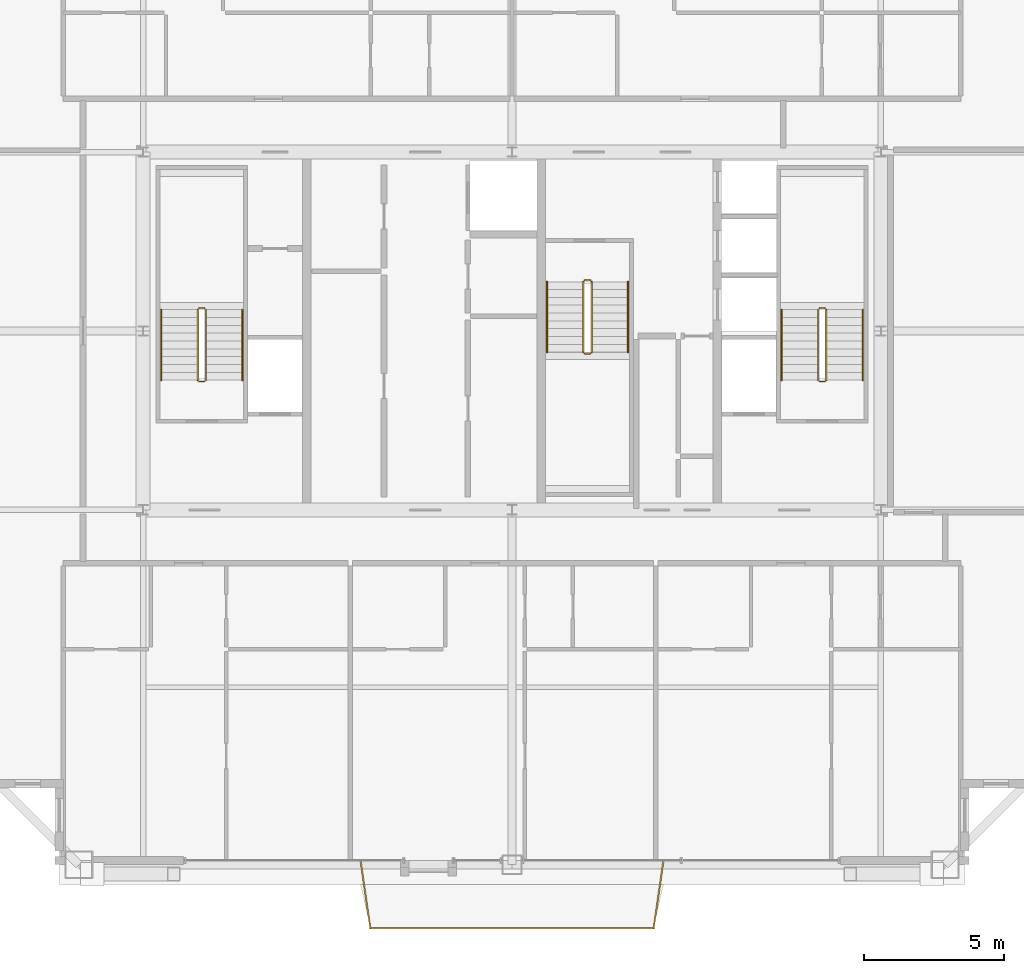
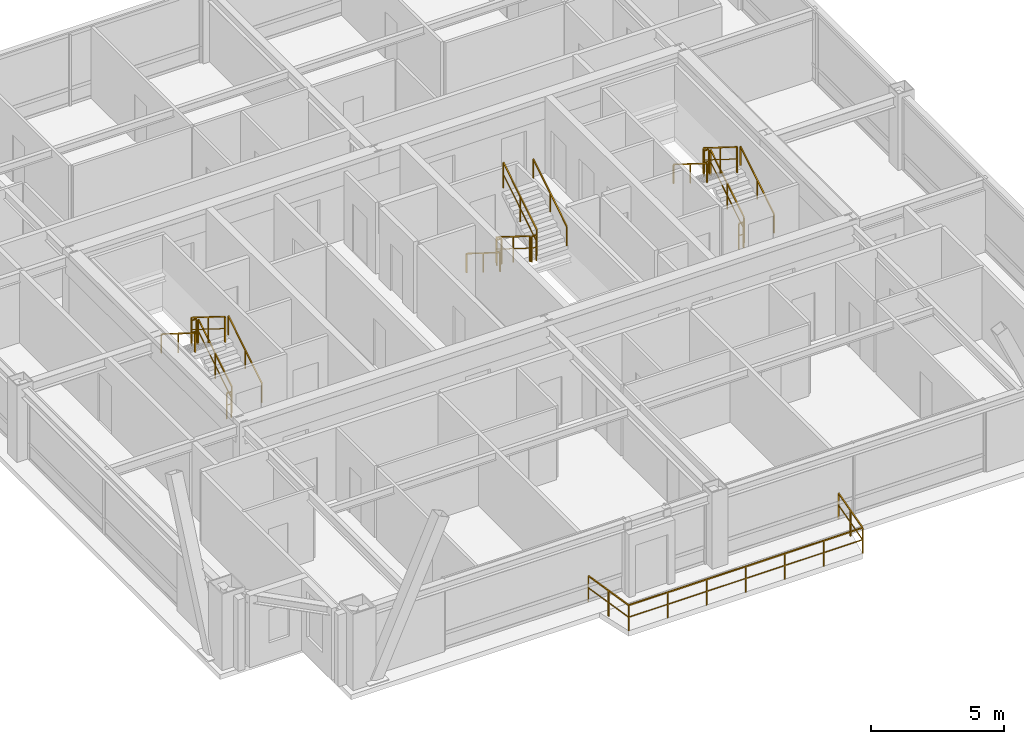
# One storey, part 35 of 35: 19 railings.
"""IFC4 building model written with IfcOpenShell, lengths in metres."""

from ifc_helpers import new_model, si_unit, direction, frame, origin, origin_2d, place, context, subcontext, project, spatial, rectangle, extrude, source, transform, mapped, material, layer, layer_set, type_object, element, save


model = new_model("IFC4")

# Units and contexts
model_context = context("Model", 3, precision=1e-05, world=origin(), true_north=direction((0.0, 1.0)))
body_context = subcontext(model_context, "Body", "Model", "MODEL_VIEW")
ifc_project = project(units=[si_unit("LENGTHUNIT", "METRE"), si_unit("AREAUNIT", "SQUARE_METRE"), si_unit("VOLUMEUNIT", "CUBIC_METRE"), si_unit("PLANEANGLEUNIT", "RADIAN"), si_unit("MASSUNIT", "GRAM", prefix="KILO"), si_unit("THERMODYNAMICTEMPERATUREUNIT", "KELVIN"), si_unit("POWERUNIT", "WATT")], contexts=[model_context])

# Site, building, storey
site_placement = place(None, origin())
site = spatial("IfcSite", under=ifc_project, at=site_placement, CompositionType="ELEMENT")
building_placement = place(site_placement, origin())
building = spatial("IfcBuilding", under=site, at=building_placement, Name="Yuzanri Waterfront Tower", CompositionType="ELEMENT")
storey_placement = place(building_placement, frame((0.0, 0.0, 314.699951171875)))
storey = spatial("IfcBuildingStorey", under=building, at=storey_placement, Name="L84", CompositionType="ELEMENT", Elevation=314.699951171875)

# Railings
ifc_material_1 = material(Name="Anodized Architectural Bronze", Category="metal")
ifc_layer_1 = layer(ifc_material_1, 0.080078125)
ifc_layer_set_1 = layer_set([ifc_layer_1], Name="Anodized Architectural Bronze")
railing_type_1 = type_object("IfcRailingType", Name="Laminated Glass and Bronze Balcony Guardrail 1200", PredefinedType="BALUSTRADE", material=ifc_layer_set_1)
shared_shape_1 = source(origin(), body_context, "Body", "SweptSolid", [
    extrude(rectangle(XDim=0.050048828125, YDim=0.050048828125, at=origin_2d()), frame((0.0, 0.0, 1.1748046875), z_axis=(0.143127085274, -0.989704318199, 0.0), x_axis=(0.989704318199, 0.143127085274, 0.0)), (0.0, 0.0, 1.0), 2.4443359375),
    extrude(rectangle(XDim=0.035888671875, YDim=0.030029296875, at=origin_2d()), frame((0.0, 0.0, 0.6240234375), z_axis=(0.143127085274, -0.989704318199, 0.0), x_axis=(0.989704318199, 0.143127085274, 0.0)), (0.0, 0.0, 1.0), 2.4443359375),
    extrude(rectangle(XDim=0.050048828125, YDim=0.050048828125, at=origin_2d()), frame((0.349853515625, -2.419189453125, 1.1748046875), z_axis=(1.0, 0.0, 0.0), x_axis=(0.0, 1.0, 0.0)), (0.0, 0.0, 1.0), 10.14013671875),
    extrude(rectangle(XDim=0.035888671875, YDim=0.030029296875, at=origin_2d()), frame((0.349853515625, -2.419189453125, 0.6240234375), z_axis=(1.0, 0.0, 0.0), x_axis=(0.0, 1.0, 0.0)), (0.0, 0.0, 1.0), 10.14013671875),
    extrude(rectangle(XDim=0.050048828125, YDim=0.050048828125, at=origin_2d()), frame((10.489990234375, -2.419189453125, 1.1748046875), z_axis=(0.143127085274, 0.989704318199, 0.0), x_axis=(-0.989704318199, 0.143127085274, 0.0)), (0.0, 0.0, 1.0), 2.4443359375),
    extrude(rectangle(XDim=0.035888671875, YDim=0.030029296875, at=origin_2d()), frame((10.489990234375, -2.419189453125, 0.6240234375), z_axis=(0.143127085274, 0.989704318199, 0.0), x_axis=(-0.989704318199, 0.143127085274, 0.0)), (0.0, 0.0, 1.0), 2.4443359375),
    extrude(rectangle(XDim=0.0458984375, YDim=0.0458984375, at=origin_2d()), origin(), (0.0, 0.0, 1.0), 1.14990234375),
    extrude(rectangle(XDim=0.0458984375, YDim=0.0458984375, at=origin_2d()), frame((0.1748046875, -1.20947265625, 0.0)), (0.0, 0.0, 1.0), 1.14990234375),
    extrude(rectangle(XDim=0.0458984375, YDim=0.0458984375, at=origin_2d()), frame((0.349853515625, -2.419189453125, 0.0)), (0.0, 0.0, 1.0), 1.14990234375),
    extrude(rectangle(XDim=0.0458984375, YDim=0.0458984375, at=origin_2d()), frame((2.039794921875, -2.419189453125, 0.0)), (0.0, 0.0, 1.0), 1.14990234375),
    extrude(rectangle(XDim=0.0458984375, YDim=0.0458984375, at=origin_2d()), frame((3.72998046875, -2.419189453125, 0.0)), (0.0, 0.0, 1.0), 1.14990234375),
    extrude(rectangle(XDim=0.0458984375, YDim=0.0458984375, at=origin_2d()), frame((5.419921875, -2.419189453125, 0.0)), (0.0, 0.0, 1.0), 1.14990234375),
    extrude(rectangle(XDim=0.0458984375, YDim=0.0458984375, at=origin_2d()), frame((7.10986328125, -2.419189453125, 0.0)), (0.0, 0.0, 1.0), 1.14990234375),
    extrude(rectangle(XDim=0.0458984375, YDim=0.0458984375, at=origin_2d()), frame((8.800048828125, -2.419189453125, 0.0)), (0.0, 0.0, 1.0), 1.14990234375),
    extrude(rectangle(XDim=0.0458984375, YDim=0.0458984375, at=origin_2d()), frame((10.489990234375, -2.419189453125, 0.0)), (0.0, 0.0, 1.0), 1.14990234375),
    extrude(rectangle(XDim=0.0458984375, YDim=0.0458984375, at=origin_2d()), frame((10.6650390625, -1.20947265625, 0.0)), (0.0, 0.0, 1.0), 1.14990234375),
    extrude(rectangle(XDim=0.0458984375, YDim=0.0458984375, at=origin_2d()), frame((10.83984375, 0.0, 0.0)), (0.0, 0.0, 1.0), 1.14990234375),
])
railing_placement = place(storey_placement, frame((31.580078125, 6.85009765625, 0.0)))
element("IfcRailing", 1, at=railing_placement, inside=storey, type_object=railing_type_1, Name="L84 S Engawa Terrace Guardrail", PredefinedType="BALUSTRADE", context=body_context, shape_type="MappedRepresentation", body=[
    mapped(shared_shape_1, transform((0.0, 0.0, 0.0), scale=1.0)),
])
ifc_material_2 = material(Name="Painted Galvanized Fire Steel", Category="steel")
ifc_layer_2 = layer(ifc_material_2, 0.06005859375)
ifc_layer_set_2 = layer_set([ifc_layer_2], Name="Painted Galvanized Fire Steel")
railing_type_2 = type_object("IfcRailingType", Name="Painted Steel Stairwell Guardrail 1120", PredefinedType="GUARDRAIL", material=ifc_layer_set_2)
shared_shape_2 = source(origin(), body_context, "Body", "SweptSolid", [
    extrude(rectangle(XDim=0.050048828125, YDim=0.050048828125, at=origin_2d()), frame((0.0, 0.0, 1.1748046875), z_axis=(-1.0, 0.0, 0.0), x_axis=(0.0, -1.0, 0.0)), (0.0, 0.0, 1.0), 0.199951171875),
    extrude(rectangle(XDim=0.035888671875, YDim=0.030029296875, at=origin_2d()), frame((0.0, 0.0, 0.6240234375), z_axis=(-1.0, 0.0, 0.0), x_axis=(0.0, -1.0, 0.0)), (0.0, 0.0, 1.0), 0.199951171875),
    extrude(rectangle(XDim=0.0458984375, YDim=0.0458984375, at=origin_2d()), origin(), (0.0, 0.0, 1.0), 1.14990234375),
    extrude(rectangle(XDim=0.0458984375, YDim=0.0458984375, at=origin_2d()), frame((-0.199951171875, 0.0, 0.0)), (0.0, 0.0, 1.0), 1.14990234375),
])
for number, where, name in (
    (2, (26.0, 26.610107421875, 1.75), "L84 ST-01 stair guard 2"),
    (3, (26.0, 23.989990234375, 0.0), "L84 ST-01 stair guard 4"),
    (4, (48.199951171875, 26.610107421875, 1.75), "L84 ST-02 stair guard 2"),
    (5, (48.199951171875, 23.989990234375, 0.0), "L84 ST-02 stair guard 4"),
):
    element("IfcRailing", number, at=place(storey_placement, frame(where)), inside=storey, type_object=railing_type_2, Name=name, PredefinedType="GUARDRAIL", context=body_context, shape_type="MappedRepresentation", body=[
        mapped(shared_shape_2, transform((0.0, 0.0, 0.0), scale=1.0)),
    ])
shared_shape_3 = source(origin(), body_context, "Body", "SweptSolid", [
    extrude(rectangle(XDim=0.050048828125, YDim=0.050048828125, at=origin_2d()), frame((0.0, 0.0, 1.1748046875), z_axis=(0.0, 0.848007534815, 0.529984170421), x_axis=(-1.0, 0.0, 0.0)), (0.0, 0.0, 1.0), 2.9716796875),
    extrude(rectangle(XDim=0.035888671875, YDim=0.030029296875, at=origin_2d()), frame((0.0, 0.0, 0.6240234375), z_axis=(0.0, 0.848007534815, 0.529984170421), x_axis=(-1.0, 0.0, 0.0)), (0.0, 0.0, 1.0), 2.9716796875),
    extrude(rectangle(XDim=0.0458984375, YDim=0.0458984375, at=origin_2d()), origin(), (0.0, 0.0, 1.0), 1.14990234375),
    extrude(rectangle(XDim=0.0458984375, YDim=0.0458984375, at=origin_2d()), frame((0.0, 1.260009765625, 0.78759765625)), (0.0, 0.0, 1.0), 1.14990234375),
    extrude(rectangle(XDim=0.0458984375, YDim=0.0458984375, at=origin_2d()), frame((0.0, 2.52001953125, 1.574951171875)), (0.0, 0.0, 1.0), 1.14990234375),
])
for number, where, name in (
    (6, (26.050048828125, 24.0400390625, 0.175048828125), "L84 ST-01 stair guard 1"),
    (7, (48.25, 24.0400390625, 0.175048828125), "L84 ST-02 stair guard 1"),
    (8, (39.85009765625, 25.0400390625, 1.925048828125), "L84 ST-03 stair guard 3"),
):
    element("IfcRailing", number, at=place(storey_placement, frame(where)), inside=storey, type_object=railing_type_2, Name=name, PredefinedType="GUARDRAIL", context=body_context, shape_type="MappedRepresentation", body=[
        mapped(shared_shape_3, transform((0.0, 0.0, 0.0), scale=1.0)),
    ])
shared_shape_4 = source(origin(), body_context, "Body", "SweptSolid", [
    extrude(rectangle(XDim=0.050048828125, YDim=0.050048828125, at=origin_2d()), frame((0.0, 0.0, 1.1748046875), z_axis=(0.0, -0.848007534815, 0.529984170421), x_axis=(1.0, 0.0, 0.0)), (0.0, 0.0, 1.0), 2.9716796875),
    extrude(rectangle(XDim=0.035888671875, YDim=0.030029296875, at=origin_2d()), frame((0.0, 0.0, 0.6240234375), z_axis=(0.0, -0.848007534815, 0.529984170421), x_axis=(1.0, 0.0, 0.0)), (0.0, 0.0, 1.0), 2.9716796875),
    extrude(rectangle(XDim=0.0458984375, YDim=0.0458984375, at=origin_2d()), origin(), (0.0, 0.0, 1.0), 1.14990234375),
    extrude(rectangle(XDim=0.0458984375, YDim=0.0458984375, at=origin_2d()), frame((0.0, -1.260009765625, 0.78759765625)), (0.0, 0.0, 1.0), 1.14990234375),
    extrude(rectangle(XDim=0.0458984375, YDim=0.0458984375, at=origin_2d()), frame((0.0, -2.52001953125, 1.574951171875)), (0.0, 0.0, 1.0), 1.14990234375),
])
for number, where, name in (
    (9, (25.75, 26.56005859375, 1.925048828125), "L84 ST-01 stair guard 3"),
    (10, (47.949951171875, 26.56005859375, 1.925048828125), "L84 ST-02 stair guard 3"),
    (11, (39.550048828125, 27.56005859375, 0.175048828125), "L84 ST-03 stair guard 1"),
):
    element("IfcRailing", number, at=place(storey_placement, frame(where)), inside=storey, type_object=railing_type_2, Name=name, PredefinedType="GUARDRAIL", context=body_context, shape_type="MappedRepresentation", body=[
        mapped(shared_shape_4, transform((0.0, 0.0, 0.0), scale=1.0)),
    ])
ifc_material_3 = material(Name="Anodized Architectural Bronze", Category="metal")
ifc_layer_3 = layer(ifc_material_3, 0.050048828125)
ifc_layer_set_3 = layer_set([ifc_layer_3], Name="Anodized Architectural Bronze")
railing_type_3 = type_object("IfcRailingType", Name="Brushed Bronze Stair Pitch Handrail 920", PredefinedType="HANDRAIL", material=ifc_layer_set_3)
shared_shape_5 = source(origin(), body_context, "Body", "SweptSolid", [
    extrude(rectangle(XDim=0.050048828125, YDim=0.050048828125, at=origin_2d()), frame((0.0, 0.0, 0.875), z_axis=(0.0, 0.848007534815, 0.529984170421), x_axis=(-1.0, 0.0, 0.0)), (0.0, 0.0, 1.0), 2.9716796875),
    extrude(rectangle(XDim=0.0458984375, YDim=0.0458984375, at=origin_2d()), origin(), (0.0, 0.0, 1.0), 0.849853515625),
    extrude(rectangle(XDim=0.0458984375, YDim=0.0458984375, at=origin_2d()), frame((0.0, 1.260009765625, 0.78759765625)), (0.0, 0.0, 1.0), 0.849853515625),
    extrude(rectangle(XDim=0.0458984375, YDim=0.0458984375, at=origin_2d()), frame((0.0, 2.52001953125, 1.574951171875)), (0.0, 0.0, 1.0), 0.849853515625),
])
for number, where, name in (
    (12, (27.35009765625, 24.0400390625, 0.175048828125), "L84 ST-01 stair handrail 1"),
    (13, (49.550048828125, 24.0400390625, 0.175048828125), "L84 ST-02 stair handrail 1"),
    (14, (41.14990234375, 25.0400390625, 1.925048828125), "L84 ST-03 stair handrail 2"),
):
    element("IfcRailing", number, at=place(storey_placement, frame(where)), inside=storey, type_object=railing_type_3, Name=name, PredefinedType="HANDRAIL", context=body_context, shape_type="MappedRepresentation", body=[
        mapped(shared_shape_5, transform((0.0, 0.0, 0.0), scale=1.0)),
    ])
shared_shape_6 = source(origin(), body_context, "Body", "SweptSolid", [
    extrude(rectangle(XDim=0.050048828125, YDim=0.050048828125, at=origin_2d()), frame((0.0, 0.0, 0.875), z_axis=(0.0, -0.848007534815, 0.529984170421), x_axis=(1.0, 0.0, 0.0)), (0.0, 0.0, 1.0), 2.9716796875),
    extrude(rectangle(XDim=0.0458984375, YDim=0.0458984375, at=origin_2d()), origin(), (0.0, 0.0, 1.0), 0.849853515625),
    extrude(rectangle(XDim=0.0458984375, YDim=0.0458984375, at=origin_2d()), frame((0.0, -1.260009765625, 0.78759765625)), (0.0, 0.0, 1.0), 0.849853515625),
    extrude(rectangle(XDim=0.0458984375, YDim=0.0458984375, at=origin_2d()), frame((0.0, -2.52001953125, 1.574951171875)), (0.0, 0.0, 1.0), 0.849853515625),
])
for number, where, name in (
    (15, (24.449951171875, 26.56005859375, 1.925048828125), "L84 ST-01 stair handrail 2"),
    (16, (46.64990234375, 26.56005859375, 1.925048828125), "L84 ST-02 stair handrail 2"),
    (17, (38.25, 27.56005859375, 0.175048828125), "L84 ST-03 stair handrail 1"),
):
    element("IfcRailing", number, at=place(storey_placement, frame(where)), inside=storey, type_object=railing_type_3, Name=name, PredefinedType="HANDRAIL", context=body_context, shape_type="MappedRepresentation", body=[
        mapped(shared_shape_6, transform((0.0, 0.0, 0.0), scale=1.0)),
    ])
shared_shape_7 = source(origin(), body_context, "Body", "SweptSolid", [
    extrude(rectangle(XDim=0.050048828125, YDim=0.050048828125, at=origin_2d()), frame((0.0, 0.0, 1.1748046875), z_axis=(1.0, 0.0, 0.0), x_axis=(0.0, 1.0, 0.0)), (0.0, 0.0, 1.0), 0.199951171875),
    extrude(rectangle(XDim=0.035888671875, YDim=0.030029296875, at=origin_2d()), frame((0.0, 0.0, 0.6240234375), z_axis=(1.0, 0.0, 0.0), x_axis=(0.0, 1.0, 0.0)), (0.0, 0.0, 1.0), 0.199951171875),
    extrude(rectangle(XDim=0.0458984375, YDim=0.0458984375, at=origin_2d()), origin(), (0.0, 0.0, 1.0), 1.14990234375),
    extrude(rectangle(XDim=0.0458984375, YDim=0.0458984375, at=origin_2d()), frame((0.199951171875, 0.0, 0.0)), (0.0, 0.0, 1.0), 1.14990234375),
])
for number, where, name in (
    (18, (39.60009765625, 24.989990234375, 1.75), "L84 ST-03 stair guard 2"),
    (19, (39.60009765625, 27.610107421875, 0.0), "L84 ST-03 stair guard 4"),
):
    element("IfcRailing", number, at=place(storey_placement, frame(where)), inside=storey, type_object=railing_type_2, Name=name, PredefinedType="GUARDRAIL", context=body_context, shape_type="MappedRepresentation", body=[
        mapped(shared_shape_7, transform((0.0, 0.0, 0.0), scale=1.0)),
    ])

save(model, "model.ifc")
